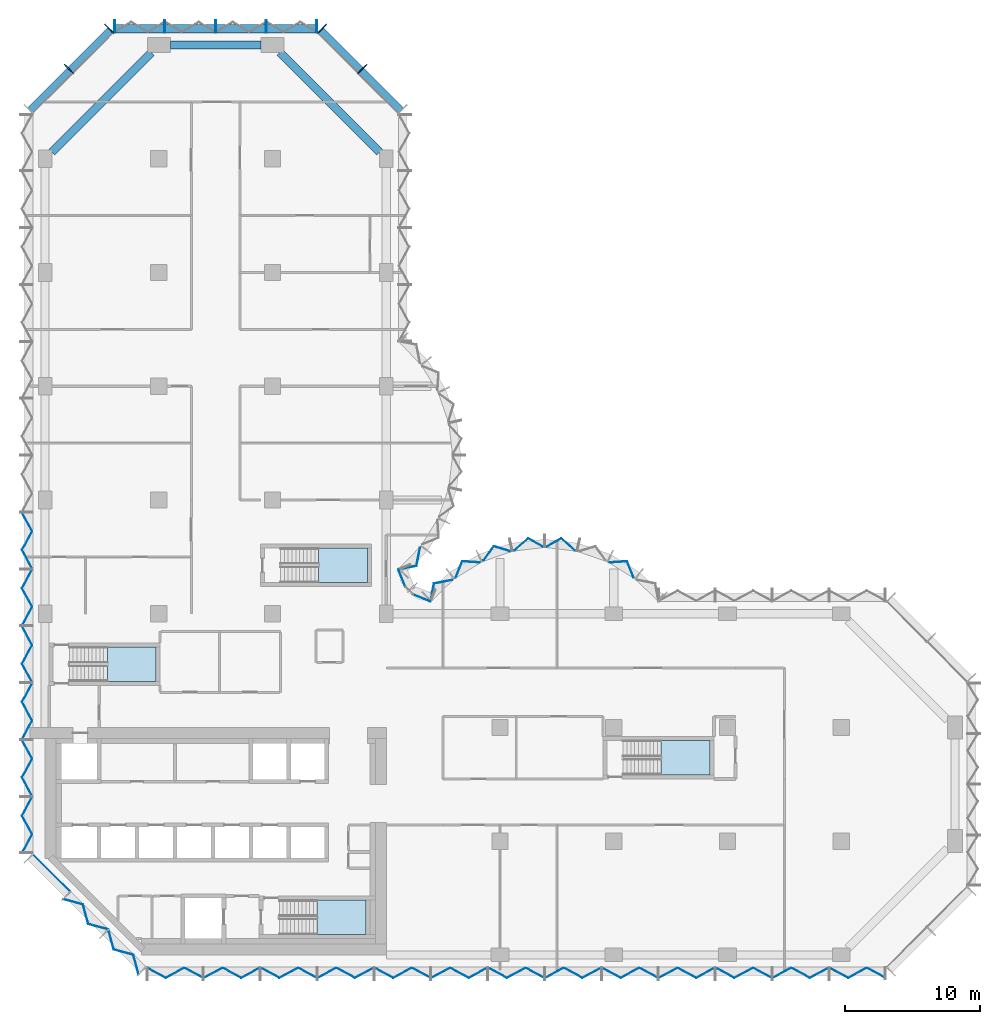
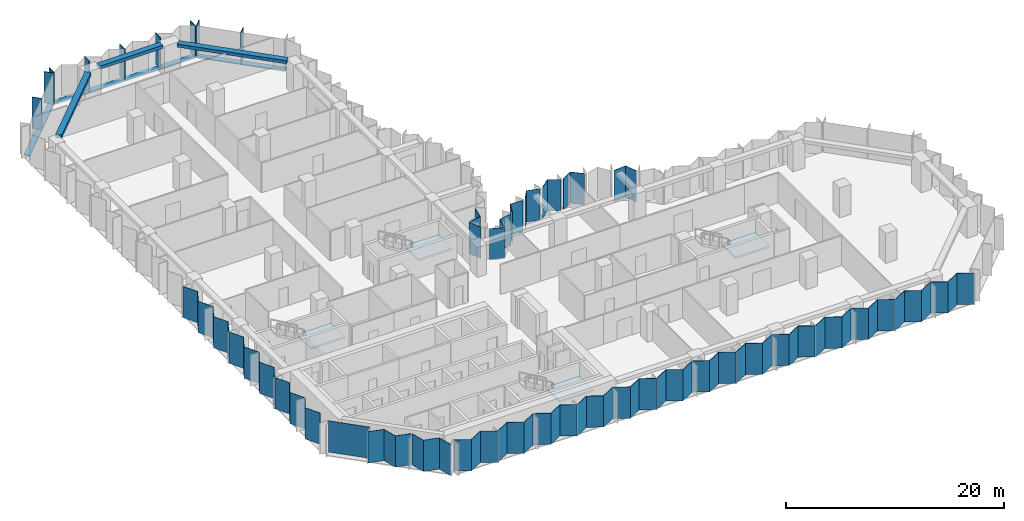
# One storey, part 5 of 13: 31 plates, 12 members, 4 slabs, 3 beams, 13 elements without a shape of their own.
"""IFC4 building model written with IfcOpenShell, lengths in metres."""

from ifc_helpers import new_model, si_unit, direction, frame, origin, origin_2d, place, context, subcontext, project, spatial, polyline, rectangle, outline, extrude, material, layer, layer_set, material_profile, profile_set, type_object, element, aggregate, save


model = new_model("IFC4")

# Units and contexts
model_context = context("Model", 3, precision=1e-05, world=origin(), true_north=direction((0.0, 1.0)))
body_context = subcontext(model_context, "Body", "Model", "MODEL_VIEW")
ifc_project = project(units=[si_unit("LENGTHUNIT", "METRE"), si_unit("AREAUNIT", "SQUARE_METRE"), si_unit("VOLUMEUNIT", "CUBIC_METRE"), si_unit("PLANEANGLEUNIT", "RADIAN"), si_unit("MASSUNIT", "GRAM", prefix="KILO")], contexts=[model_context])

# Site, building, storey
site_placement = place(None, origin())
site = spatial("IfcSite", under=ifc_project, at=site_placement, CompositionType="ELEMENT")
building_placement = place(site_placement, origin())
building = spatial("IfcBuilding", under=site, at=building_placement, Name="Brevane Broadcast Tower", CompositionType="ELEMENT")
storey_placement = place(building_placement, frame((0.0, 0.0, 91.699951171875)))
storey = spatial("IfcBuildingStorey", under=building, at=storey_placement, Name="L21", CompositionType="ELEMENT", Elevation=91.699951171875)

# Curtain wall, members
ifc_material_1 = material(Name="Aluminium 6063-T6 bronze anodised", Category="aluminium")
curtain_wall_type = type_object("IfcCurtainWallType", Name="CW-1 curtain wall", PredefinedType="NOTDEFINED", material=ifc_material_1)
curtain_wall_1_placement = place(storey_placement, origin())
curtain_wall_1 = element("IfcCurtainWall", 1, at=curtain_wall_1_placement, inside=storey, type_object=curtain_wall_type, Name="CW-1 typical tilted unit L21 north arm north-east chamfer", PredefinedType="NOTDEFINED")
ifc_material_profile_1 = material_profile(ifc_material_1, rectangle(XDim=0.949951171875, YDim=0.070068359375, at=origin_2d()), Name="RECT 70x950")
ifc_profile_set_1 = profile_set([ifc_material_profile_1], Name="Aluminium 6063-T6 bronze anodised")
member_type_1 = type_object("IfcMemberType", Name="CW-1 mullion 70x950", PredefinedType="MULLION", material=ifc_profile_set_1)
member_1_placement = place(storey_placement, frame((23.435791015625, 65.435791015625, -0.14990234375), z_axis=(0.0, 0.0, 1.0), x_axis=(-0.707106781187, -0.707106781187, 0.0)))
member_1 = element("IfcMember", 2, at=member_1_placement, type_object=member_type_1, Name="CW-1 mullion", PredefinedType="MULLION", context=body_context, shape_type="SweptSolid", body=[
    extrude(rectangle(XDim=0.949951171875, YDim=0.070068359375, at=origin_2d()), origin(), (0.0, 0.0, 1.0), 3.5),
])
member_2_placement = place(storey_placement, frame((20.460693359375, 68.4111328125, -0.14990234375), z_axis=(0.0, 0.0, 1.0), x_axis=(-0.707106781187, -0.707106781187, 0.0)))
member_2 = element("IfcMember", 3, at=member_2_placement, type_object=member_type_1, Name="CW-1 mullion", PredefinedType="MULLION", context=body_context, shape_type="SweptSolid", body=[
    extrude(rectangle(XDim=0.949951171875, YDim=0.070068359375, at=origin_2d()), origin(), (0.0, 0.0, 1.0), 3.5),
])

curtain_wall_2_placement = place(storey_placement, origin())
curtain_wall_2 = element("IfcCurtainWall", 4, at=curtain_wall_2_placement, inside=storey, type_object=curtain_wall_type, Name="CW-1 typical tilted unit L21 north end", PredefinedType="NOTDEFINED")
member_3_placement = place(storey_placement, frame((20.06494140625, 68.574951171875, -0.14990234375), z_axis=(0.0, 0.0, 1.0), x_axis=(0.0, -1.0, 0.0)))
member_3 = element("IfcMember", 5, at=member_3_placement, type_object=member_type_1, Name="CW-1 mullion", PredefinedType="MULLION", context=body_context, shape_type="SweptSolid", body=[
    extrude(rectangle(XDim=0.949951171875, YDim=0.070068359375, at=origin_2d()), origin(), (0.0, 0.0, 1.0), 3.5),
])
member_4_placement = place(storey_placement, frame((16.35009765625, 68.574951171875, -0.14990234375), z_axis=(0.0, 0.0, 1.0), x_axis=(0.0, -1.0, 0.0)))
member_4 = element("IfcMember", 6, at=member_4_placement, type_object=member_type_1, Name="CW-1 mullion", PredefinedType="MULLION", context=body_context, shape_type="SweptSolid", body=[
    extrude(rectangle(XDim=0.949951171875, YDim=0.070068359375, at=origin_2d()), origin(), (0.0, 0.0, 1.0), 3.5),
])
member_5_placement = place(storey_placement, frame((12.60009765625, 68.574951171875, -0.14990234375), z_axis=(0.0, 0.0, 1.0), x_axis=(0.0, -1.0, 0.0)))
member_5 = element("IfcMember", 7, at=member_5_placement, type_object=member_type_1, Name="CW-1 mullion", PredefinedType="MULLION", context=body_context, shape_type="SweptSolid", body=[
    extrude(rectangle(XDim=0.949951171875, YDim=0.070068359375, at=origin_2d()), origin(), (0.0, 0.0, 1.0), 3.5),
])
member_6_placement = place(storey_placement, frame((8.85009765625, 68.574951171875, -0.14990234375), z_axis=(0.0, 0.0, 1.0), x_axis=(0.0, -1.0, 0.0)))
member_6 = element("IfcMember", 8, at=member_6_placement, type_object=member_type_1, Name="CW-1 mullion", PredefinedType="MULLION", context=body_context, shape_type="SweptSolid", body=[
    extrude(rectangle(XDim=0.949951171875, YDim=0.070068359375, at=origin_2d()), origin(), (0.0, 0.0, 1.0), 3.5),
])
member_7_placement = place(storey_placement, frame((5.135009765625, 68.574951171875, -0.14990234375), z_axis=(0.0, 0.0, 1.0), x_axis=(0.0, -1.0, 0.0)))
member_7 = element("IfcMember", 9, at=member_7_placement, type_object=member_type_1, Name="CW-1 mullion", PredefinedType="MULLION", context=body_context, shape_type="SweptSolid", body=[
    extrude(rectangle(XDim=0.949951171875, YDim=0.070068359375, at=origin_2d()), origin(), (0.0, 0.0, 1.0), 3.5),
])

curtain_wall_3_placement = place(storey_placement, origin())
curtain_wall_3 = element("IfcCurtainWall", 10, at=curtain_wall_3_placement, inside=storey, type_object=curtain_wall_type, Name="CW-1 typical tilted unit L21 north-west chamfer", PredefinedType="NOTDEFINED")
member_8_placement = place(storey_placement, frame((4.7392578125, 68.4111328125, -0.14990234375), z_axis=(0.0, 0.0, 1.0), x_axis=(0.707106781187, -0.707106781187, 0.0)))
member_8 = element("IfcMember", 11, at=member_8_placement, type_object=member_type_1, Name="CW-1 mullion", PredefinedType="MULLION", context=body_context, shape_type="SweptSolid", body=[
    extrude(rectangle(XDim=0.949951171875, YDim=0.070068359375, at=origin_2d()), origin(), (0.0, 0.0, 1.0), 3.5),
])
member_9_placement = place(storey_placement, frame((1.76416015625, 65.435791015625, -0.14990234375), z_axis=(0.0, 0.0, 1.0), x_axis=(0.707106781187, -0.707106781187, 0.0)))
member_9 = element("IfcMember", 12, at=member_9_placement, type_object=member_type_1, Name="CW-1 mullion", PredefinedType="MULLION", context=body_context, shape_type="SweptSolid", body=[
    extrude(rectangle(XDim=0.949951171875, YDim=0.070068359375, at=origin_2d()), origin(), (0.0, 0.0, 1.0), 3.5),
])

# Member
ifc_material_profile_2 = material_profile(ifc_material_1, rectangle(XDim=0.60009765625, YDim=0.10009765625, at=origin_2d()), Name="RECT 100x600")
ifc_profile_set_2 = profile_set([ifc_material_profile_2], Name="Aluminium 6063-T6 bronze anodised")
member_type_2 = type_object("IfcMemberType", Name="CW-1 transom 100x600", PredefinedType="USERDEFINED", material=ifc_profile_set_2)
member_10_placement = place(storey_placement, frame((26.31201171875, 62.31201171875, -0.199951171875), z_axis=(-0.707106781187, 0.707106781187, 0.0), x_axis=(-0.707106781187, -0.707106781187, 0.0)))
member_10 = element("IfcMember", 13, at=member_10_placement, type_object=member_type_2, Name="CW-1 transom", ObjectType="TRANSOM", PredefinedType="USERDEFINED", context=body_context, shape_type="SweptSolid", body=[
    extrude(rectangle(XDim=0.60009765625, YDim=0.10009765625, at=origin_2d()), origin(), (0.0, 0.0, 1.0), 8.4853515625),
])

aggregate(curtain_wall_1, [member_1, member_2, member_10])

member_11_placement = place(storey_placement, frame((20.10009765625, 68.39990234375, -0.199951171875), z_axis=(-1.0, 0.0, 0.0), x_axis=(0.0, -1.0, 0.0)))
member_11 = element("IfcMember", 14, at=member_11_placement, type_object=member_type_2, Name="CW-1 transom", ObjectType="TRANSOM", PredefinedType="USERDEFINED", context=body_context, shape_type="SweptSolid", body=[
    extrude(rectangle(XDim=0.60009765625, YDim=0.10009765625, at=origin_2d()), origin(), (0.0, 0.0, 1.0), 15.0),
])

aggregate(curtain_wall_2, [member_3, member_4, member_5, member_6, member_7, member_11])

member_12_placement = place(storey_placement, frame((4.887939453125, 68.31201171875, -0.199951171875), z_axis=(-0.707106781187, -0.707106781187, 0.0), x_axis=(0.707106781187, -0.707106781187, 0.0)))
member_12 = element("IfcMember", 15, at=member_12_placement, type_object=member_type_2, Name="CW-1 transom", ObjectType="TRANSOM", PredefinedType="USERDEFINED", context=body_context, shape_type="SweptSolid", body=[
    extrude(rectangle(XDim=0.60009765625, YDim=0.10009765625, at=origin_2d()), origin(), (0.0, 0.0, 1.0), 8.4853515625),
])

aggregate(curtain_wall_3, [member_8, member_9, member_12])

# Beams
ifc_material_2 = material(Name="Concrete C40/50", Category="concrete")
ifc_material_profile_3 = material_profile(ifc_material_2, rectangle(XDim=0.60009765625, YDim=0.35009765625, at=origin_2d()), Name="RC 600x350")
ifc_profile_set_3 = profile_set([ifc_material_profile_3], Name="Concrete C40/50")
beam_type = type_object("IfcBeamType", Name="RC SPANDREL BEAM 600x350 C40/50", PredefinedType="SPANDREL", material=ifc_profile_set_3)
beam_1_placement = place(storey_placement, frame((24.699951171875, 59.300048828125, 3.175048828125), z_axis=(-0.707106781187, 0.707106781187, 0.0), x_axis=(-0.707106781187, -0.707106781187, 0.0)))
element("IfcBeam", 16, at=beam_1_placement, inside=storey, type_object=beam_type, Name="EB1 L21-16", PredefinedType="SPANDREL", context=body_context, shape_type="SweptSolid", body=[
    extrude(rectangle(XDim=0.60009765625, YDim=0.35009765625, at=origin_2d()), origin(), (0.0, 0.0, 1.0), 10.394287109375),
])
beam_2_placement = place(storey_placement, frame((15.949951171875, 67.199951171875, 3.175048828125), z_axis=(-1.0, 0.0, 0.0), x_axis=(0.0, -1.0, 0.0)))
element("IfcBeam", 17, at=beam_2_placement, inside=storey, type_object=beam_type, Name="EB1 L21-17", PredefinedType="SPANDREL", context=body_context, shape_type="SweptSolid", body=[
    extrude(rectangle(XDim=0.60009765625, YDim=0.35009765625, at=origin_2d()), origin(), (0.0, 0.0, 1.0), 6.699951171875),
])
beam_3_placement = place(storey_placement, frame((7.85009765625, 66.64990234375, 3.175048828125), z_axis=(-0.707118524903, -0.707095037275, 0.0), x_axis=(0.707095037275, -0.707118524903, 0.0)))
element("IfcBeam", 18, at=beam_3_placement, inside=storey, type_object=beam_type, Name="EB1 L21-18", PredefinedType="SPANDREL", context=body_context, shape_type="SweptSolid", body=[
    extrude(rectangle(XDim=0.60009765625, YDim=0.35009765625, at=origin_2d()), origin(), (0.0, 0.0, 1.0), 10.39453125),
])

# Curtain wall, plates
curtain_wall_4_placement = place(storey_placement, origin())
curtain_wall_4 = element("IfcCurtainWall", 19, at=curtain_wall_4_placement, inside=storey, type_object=curtain_wall_type, Name="CW-1 typical tilted unit L21 south face", PredefinedType="NOTDEFINED")
ifc_material_3 = material(Name="Laminated glass bronze-tinted", Category="glass")
ifc_layer_1 = layer(ifc_material_3, 0.0400390625)
ifc_layer_set_1 = layer_set([ifc_layer_1], Name="CW tall glass panel 40")
plate_type = type_object("IfcPlateType", Name="CW tall glass panel 40", PredefinedType="CURTAIN_PANEL", material=ifc_layer_set_1)
plate_1_placement = place(storey_placement, frame((0.0, 0.0, -0.14990234375)))
plate_1 = element("IfcPlate", 20, at=plate_1_placement, type_object=plate_type, Name="CW-1 glass panel", PredefinedType="CURTAIN_PANEL", context=body_context, shape_type="SweptSolid", body=[
    extrude(outline(polyline([(7.534912109375, -0.92724609375), (7.534912109375, -0.97265625), (8.91162109375, -1.717041015625), (10.288330078125, -0.97265625), (11.6650390625, -1.717041015625), (11.6650390625, -1.671630859375), (10.288330078125, -0.92724609375), (8.91162109375, -1.671630859375), (7.534912109375, -0.92724609375)])), origin(), (0.0, 0.0, 1.0), 3.5),
])
plate_2_placement = place(storey_placement, frame((0.0, 0.0, -0.14990234375)))
plate_2 = element("IfcPlate", 21, at=plate_2_placement, type_object=plate_type, Name="CW-1 glass panel", PredefinedType="CURTAIN_PANEL", context=body_context, shape_type="SweptSolid", body=[
    extrude(outline(polyline([(11.735107421875, -1.671630859375), (11.735107421875, -1.717041015625), (13.11181640625, -0.97265625), (14.48828125, -1.717041015625), (15.864990234375, -0.97265625), (15.864990234375, -0.92724609375), (14.48828125, -1.671630859375), (13.11181640625, -0.92724609375), (11.735107421875, -1.671630859375)])), origin(), (0.0, 0.0, 1.0), 3.5),
])
plate_3_placement = place(storey_placement, frame((0.0, 0.0, -0.14990234375)))
plate_3 = element("IfcPlate", 22, at=plate_3_placement, type_object=plate_type, Name="CW-1 glass panel", PredefinedType="CURTAIN_PANEL", context=body_context, shape_type="SweptSolid", body=[
    extrude(outline(polyline([(15.93505859375, -0.92724609375), (15.93505859375, -0.97265625), (17.311767578125, -1.717041015625), (18.688232421875, -0.97265625), (20.06494140625, -1.717041015625), (20.06494140625, -1.671630859375), (18.688232421875, -0.92724609375), (17.311767578125, -1.671630859375), (15.93505859375, -0.92724609375)])), origin(), (0.0, 0.0, 1.0), 3.5),
])
plate_4_placement = place(storey_placement, frame((0.0, 0.0, -0.14990234375)))
plate_4 = element("IfcPlate", 23, at=plate_4_placement, type_object=plate_type, Name="CW-1 glass panel", PredefinedType="CURTAIN_PANEL", context=body_context, shape_type="SweptSolid", body=[
    extrude(outline(polyline([(20.135009765625, -1.671630859375), (20.135009765625, -1.717041015625), (21.51171875, -0.97265625), (22.88818359375, -1.717041015625), (24.264892578125, -0.97265625), (24.264892578125, -0.92724609375), (22.88818359375, -1.671630859375), (21.51171875, -0.92724609375), (20.135009765625, -1.671630859375)])), origin(), (0.0, 0.0, 1.0), 3.5),
])
plate_5_placement = place(storey_placement, frame((0.0, 0.0, -0.14990234375)))
plate_5 = element("IfcPlate", 24, at=plate_5_placement, type_object=plate_type, Name="CW-1 glass panel", PredefinedType="CURTAIN_PANEL", context=body_context, shape_type="SweptSolid", body=[
    extrude(outline(polyline([(24.3349609375, -0.92724609375), (24.3349609375, -0.97265625), (25.711669921875, -1.717041015625), (27.08837890625, -0.97265625), (28.465087890625, -1.717041015625), (28.465087890625, -1.671630859375), (27.08837890625, -0.92724609375), (25.711669921875, -1.671630859375), (24.3349609375, -0.92724609375)])), origin(), (0.0, 0.0, 1.0), 3.5),
])
plate_6_placement = place(storey_placement, frame((0.0, 0.0, -0.14990234375)))
plate_6 = element("IfcPlate", 25, at=plate_6_placement, type_object=plate_type, Name="CW-1 glass panel", PredefinedType="CURTAIN_PANEL", context=body_context, shape_type="SweptSolid", body=[
    extrude(outline(polyline([(28.534912109375, -1.671630859375), (28.534912109375, -1.717041015625), (29.91162109375, -0.97265625), (31.288330078125, -1.717041015625), (32.6650390625, -0.97265625), (32.6650390625, -0.92724609375), (31.288330078125, -1.671630859375), (29.91162109375, -0.92724609375), (28.534912109375, -1.671630859375)])), origin(), (0.0, 0.0, 1.0), 3.5),
])
plate_7_placement = place(storey_placement, frame((0.0, 0.0, -0.14990234375)))
plate_7 = element("IfcPlate", 26, at=plate_7_placement, type_object=plate_type, Name="CW-1 glass panel", PredefinedType="CURTAIN_PANEL", context=body_context, shape_type="SweptSolid", body=[
    extrude(outline(polyline([(32.735107421875, -0.92724609375), (32.735107421875, -0.97265625), (34.11181640625, -1.717041015625), (35.48828125, -0.97265625), (36.864990234375, -1.717041015625), (36.864990234375, -1.671630859375), (35.48828125, -0.92724609375), (34.11181640625, -1.671630859375), (32.735107421875, -0.92724609375)])), origin(), (0.0, 0.0, 1.0), 3.5),
])
plate_8_placement = place(storey_placement, frame((0.0, 0.0, -0.14990234375)))
plate_8 = element("IfcPlate", 27, at=plate_8_placement, type_object=plate_type, Name="CW-1 glass panel", PredefinedType="CURTAIN_PANEL", context=body_context, shape_type="SweptSolid", body=[
    extrude(outline(polyline([(36.93505859375, -1.671630859375), (36.93505859375, -1.717041015625), (38.311767578125, -0.97265625), (39.688232421875, -1.717041015625), (41.06494140625, -0.97265625), (41.06494140625, -0.92724609375), (39.688232421875, -1.671630859375), (38.311767578125, -0.92724609375), (36.93505859375, -1.671630859375)])), origin(), (0.0, 0.0, 1.0), 3.5),
])
plate_9_placement = place(storey_placement, frame((0.0, 0.0, -0.14990234375)))
plate_9 = element("IfcPlate", 28, at=plate_9_placement, type_object=plate_type, Name="CW-1 glass panel", PredefinedType="CURTAIN_PANEL", context=body_context, shape_type="SweptSolid", body=[
    extrude(outline(polyline([(41.135009765625, -0.92724609375), (41.135009765625, -0.97265625), (42.51171875, -1.717041015625), (43.88818359375, -0.97265625), (45.264892578125, -1.717041015625), (45.264892578125, -1.671630859375), (43.88818359375, -0.92724609375), (42.51171875, -1.671630859375), (41.135009765625, -0.92724609375)])), origin(), (0.0, 0.0, 1.0), 3.5),
])
plate_10_placement = place(storey_placement, frame((0.0, 0.0, -0.14990234375)))
plate_10 = element("IfcPlate", 29, at=plate_10_placement, type_object=plate_type, Name="CW-1 glass panel", PredefinedType="CURTAIN_PANEL", context=body_context, shape_type="SweptSolid", body=[
    extrude(outline(polyline([(45.3349609375, -1.671630859375), (45.3349609375, -1.717041015625), (46.711669921875, -0.97265625), (48.08837890625, -1.717041015625), (49.465087890625, -0.97265625), (49.465087890625, -0.92724609375), (48.08837890625, -1.671630859375), (46.711669921875, -0.92724609375), (45.3349609375, -1.671630859375)])), origin(), (0.0, 0.0, 1.0), 3.5),
])
plate_11_placement = place(storey_placement, frame((0.0, 0.0, -0.14990234375)))
plate_11 = element("IfcPlate", 30, at=plate_11_placement, type_object=plate_type, Name="CW-1 glass panel", PredefinedType="CURTAIN_PANEL", context=body_context, shape_type="SweptSolid", body=[
    extrude(outline(polyline([(49.534912109375, -0.92724609375), (49.534912109375, -0.97265625), (50.91162109375, -1.717041015625), (52.288330078125, -0.97265625), (53.6650390625, -1.717041015625), (53.6650390625, -1.671630859375), (52.288330078125, -0.92724609375), (50.91162109375, -1.671630859375), (49.534912109375, -0.92724609375)])), origin(), (0.0, 0.0, 1.0), 3.5),
])
plate_12_placement = place(storey_placement, frame((0.0, 0.0, -0.14990234375)))
plate_12 = element("IfcPlate", 31, at=plate_12_placement, type_object=plate_type, Name="CW-1 glass panel", PredefinedType="CURTAIN_PANEL", context=body_context, shape_type="SweptSolid", body=[
    extrude(outline(polyline([(53.735107421875, -1.671630859375), (53.735107421875, -1.717041015625), (55.11181640625, -0.97265625), (56.48828125, -1.717041015625), (57.864990234375, -0.97265625), (57.864990234375, -0.92724609375), (56.48828125, -1.671630859375), (55.11181640625, -0.92724609375), (53.735107421875, -1.671630859375)])), origin(), (0.0, 0.0, 1.0), 3.5),
])
plate_13_placement = place(storey_placement, frame((0.0, 0.0, -0.14990234375)))
plate_13 = element("IfcPlate", 32, at=plate_13_placement, type_object=plate_type, Name="CW-1 glass panel", PredefinedType="CURTAIN_PANEL", context=body_context, shape_type="SweptSolid", body=[
    extrude(outline(polyline([(57.93505859375, -0.92724609375), (57.93505859375, -0.97265625), (59.311767578125, -1.717041015625), (60.688232421875, -0.97265625), (62.06494140625, -1.717041015625), (62.06494140625, -1.671630859375), (60.688232421875, -0.92724609375), (59.311767578125, -1.671630859375), (57.93505859375, -0.92724609375)])), origin(), (0.0, 0.0, 1.0), 3.5),
])
aggregate(curtain_wall_4, [plate_1, plate_2, plate_3, plate_4, plate_5, plate_6, plate_7, plate_8, plate_9, plate_10, plate_11, plate_12, plate_13])

curtain_wall_5_placement = place(storey_placement, origin())
curtain_wall_5 = element("IfcCurtainWall", 33, at=curtain_wall_5_placement, inside=storey, type_object=curtain_wall_type, Name="CW-1 typical tilted unit L21 east bow", PredefinedType="NOTDEFINED")
plate_14_placement = place(storey_placement, frame((0.0, 0.0, -0.14990234375)))
plate_14 = element("IfcPlate", 34, at=plate_14_placement, type_object=plate_type, Name="CW-1 glass panel", PredefinedType="CURTAIN_PANEL", context=body_context, shape_type="SweptSolid", body=[
    extrude(outline(polyline([(43.45703125, 27.8759765625), (43.4853515625, 27.912109375), (43.00390625, 29.089111328125), (41.710693359375, 29.006591796875), (41.69091796875, 28.96533203125), (42.977783203125, 29.04736328125), (43.45703125, 27.8759765625)])), origin(), (0.0, 0.0, 1.0), 3.5),
])
plate_15_placement = place(storey_placement, frame((0.0, 0.0, -0.14990234375)))
plate_15 = element("IfcPlate", 35, at=plate_15_placement, type_object=plate_type, Name="CW-1 glass panel", PredefinedType="CURTAIN_PANEL", context=body_context, shape_type="SweptSolid", body=[
    extrude(outline(polyline([(39.125, 29.859619140625), (39.13525390625, 29.903564453125), (38.116943359375, 30.779296875), (37.008056640625, 30.15869140625), (37.008056640625, 30.11279296875), (38.112060546875, 30.730712890625), (39.125, 29.859619140625)])), origin(), (0.0, 0.0, 1.0), 3.5),
])
plate_16_placement = place(storey_placement, frame((0.0, 0.0, -0.14990234375)))
plate_16 = element("IfcPlate", 36, at=plate_16_placement, type_object=plate_type, Name="CW-1 glass panel", PredefinedType="CURTAIN_PANEL", context=body_context, shape_type="SweptSolid", body=[
    extrude(outline(polyline([(36.7919921875, 30.11279296875), (36.7919921875, 30.15869140625), (35.68310546875, 30.779296875), (34.664794921875, 29.903564453125), (34.6748046875, 29.859619140625), (35.68798828125, 30.730712890625), (36.7919921875, 30.11279296875)])), origin(), (0.0, 0.0, 1.0), 3.5),
])
plate_17_placement = place(storey_placement, frame((0.0, 0.0, -0.14990234375)))
plate_17 = element("IfcPlate", 37, at=plate_17_placement, type_object=plate_type, Name="CW-1 glass panel", PredefinedType="CURTAIN_PANEL", context=body_context, shape_type="SweptSolid", body=[
    extrude(outline(polyline([(34.359619140625, 29.78857421875), (34.349365234375, 29.83349609375), (33.132080078125, 30.20166015625), (32.381103515625, 29.1455078125), (32.400634765625, 29.104248046875), (33.148193359375, 30.155029296875), (34.359619140625, 29.78857421875)])), origin(), (0.0, 0.0, 1.0), 3.5),
])
plate_18_placement = place(storey_placement, frame((0.0, 0.0, -0.14990234375)))
plate_18 = element("IfcPlate", 38, at=plate_18_placement, type_object=plate_type, Name="CW-1 glass panel", PredefinedType="CURTAIN_PANEL", context=body_context, shape_type="SweptSolid", body=[
    extrude(outline(polyline([(32.10888671875, 28.96533203125), (32.08935546875, 29.006591796875), (30.7958984375, 29.089111328125), (30.314697265625, 27.912109375), (30.343017578125, 27.8759765625), (30.822265625, 29.04736328125), (32.10888671875, 28.96533203125)])), origin(), (0.0, 0.0, 1.0), 3.5),
])
plate_19_placement = place(storey_placement, frame((0.0, 0.0, -0.14990234375)))
plate_19 = element("IfcPlate", 39, at=plate_19_placement, type_object=plate_type, Name="CW-1 glass panel", PredefinedType="CURTAIN_PANEL", context=body_context, shape_type="SweptSolid", body=[
    extrude(outline(polyline([(30.089111328125, 27.67626953125), (30.0615234375, 27.71142578125), (28.7138671875, 27.447265625), (28.471923828125, 26.17919921875), (28.506103515625, 26.14404296875), (28.748046875, 27.4130859375), (30.089111328125, 27.67626953125)])), origin(), (0.0, 0.0, 1.0), 3.5),
])
aggregate(curtain_wall_5, [plate_14, plate_15, plate_16, plate_17, plate_18, plate_19])

curtain_wall_6_placement = place(storey_placement, origin())
curtain_wall_6 = element("IfcCurtainWall", 40, at=curtain_wall_6_placement, inside=storey, type_object=curtain_wall_type, Name="CW-1 typical tilted unit L21 inner corner", PredefinedType="NOTDEFINED")
plate_20_placement = place(storey_placement, frame((0.0, 0.0, -0.14990234375)))
plate_20 = element("IfcPlate", 41, at=plate_20_placement, type_object=plate_type, Name="CW-1 glass panel", PredefinedType="CURTAIN_PANEL", context=body_context, shape_type="SweptSolid", body=[
    extrude(outline(polyline([(28.45166015625, 26.07470703125), (28.466796875, 26.111572265625), (27.2021484375, 26.635498046875), (27.17138671875, 26.60498046875), (28.45166015625, 26.07470703125)])), origin(), (0.0, 0.0, 1.0), 3.5),
])
plate_21_placement = place(storey_placement, frame((0.0, 0.0, -0.14990234375)))
plate_21 = element("IfcPlate", 42, at=plate_21_placement, type_object=plate_type, Name="CW-1 glass panel", PredefinedType="CURTAIN_PANEL", context=body_context, shape_type="SweptSolid", body=[
    extrude(outline(polyline([(26.60498046875, 27.17138671875), (26.635498046875, 27.2021484375), (26.111572265625, 28.466796875), (26.07470703125, 28.45166015625), (26.60498046875, 27.17138671875)])), origin(), (0.0, 0.0, 1.0), 3.5),
])
aggregate(curtain_wall_6, [plate_20, plate_21])

# Curtain wall, plate
curtain_wall_7_placement = place(storey_placement, origin())
curtain_wall_7 = element("IfcCurtainWall", 43, at=curtain_wall_7_placement, inside=storey, type_object=curtain_wall_type, Name="CW-1 typical tilted unit L21 north bow", PredefinedType="NOTDEFINED")
plate_22_placement = place(storey_placement, frame((0.0, 0.0, -0.14990234375)))
plate_22 = element("IfcPlate", 44, at=plate_22_placement, type_object=plate_type, Name="CW-1 glass panel", PredefinedType="CURTAIN_PANEL", context=body_context, shape_type="SweptSolid", body=[
    extrude(outline(polyline([(26.14404296875, 28.506103515625), (26.17919921875, 28.471923828125), (27.447265625, 28.7138671875), (27.71142578125, 30.0615234375), (27.67626953125, 30.089111328125), (27.4130859375, 28.748046875), (26.14404296875, 28.506103515625)])), origin(), (0.0, 0.0, 1.0), 3.5),
])
aggregate(curtain_wall_7, [plate_22])

# Curtain wall, plates
curtain_wall_8_placement = place(storey_placement, origin())
curtain_wall_8 = element("IfcCurtainWall", 45, at=curtain_wall_8_placement, inside=storey, type_object=curtain_wall_type, Name="CW-1 typical tilted unit L21 west face", PredefinedType="NOTDEFINED")
plate_23_placement = place(storey_placement, frame((0.0, 0.0, -0.14990234375)))
plate_23 = element("IfcPlate", 46, at=plate_23_placement, type_object=plate_type, Name="CW-1 glass panel", PredefinedType="CURTAIN_PANEL", context=body_context, shape_type="SweptSolid", body=[
    extrude(outline(polyline([(-1.671630859375, 32.6650390625), (-1.717041015625, 32.6650390625), (-0.97265625, 31.288330078125), (-1.717041015625, 29.91162109375), (-0.97265625, 28.534912109375), (-0.92724609375, 28.534912109375), (-1.671630859375, 29.91162109375), (-0.92724609375, 31.288330078125), (-1.671630859375, 32.6650390625)])), origin(), (0.0, 0.0, 1.0), 3.5),
])
plate_24_placement = place(storey_placement, frame((0.0, 0.0, -0.14990234375)))
plate_24 = element("IfcPlate", 47, at=plate_24_placement, type_object=plate_type, Name="CW-1 glass panel", PredefinedType="CURTAIN_PANEL", context=body_context, shape_type="SweptSolid", body=[
    extrude(outline(polyline([(-0.92724609375, 28.465087890625), (-0.97265625, 28.465087890625), (-1.717041015625, 27.08837890625), (-0.97265625, 25.711669921875), (-1.717041015625, 24.3349609375), (-1.671630859375, 24.3349609375), (-0.92724609375, 25.711669921875), (-1.671630859375, 27.08837890625), (-0.92724609375, 28.465087890625)])), origin(), (0.0, 0.0, 1.0), 3.5),
])
plate_25_placement = place(storey_placement, frame((0.0, 0.0, -0.14990234375)))
plate_25 = element("IfcPlate", 48, at=plate_25_placement, type_object=plate_type, Name="CW-1 glass panel", PredefinedType="CURTAIN_PANEL", context=body_context, shape_type="SweptSolid", body=[
    extrude(outline(polyline([(-1.671630859375, 24.264892578125), (-1.717041015625, 24.264892578125), (-0.97265625, 22.88818359375), (-1.717041015625, 21.51171875), (-0.97265625, 20.135009765625), (-0.92724609375, 20.135009765625), (-1.671630859375, 21.51171875), (-0.92724609375, 22.88818359375), (-1.671630859375, 24.264892578125)])), origin(), (0.0, 0.0, 1.0), 3.5),
])
plate_26_placement = place(storey_placement, frame((0.0, 0.0, -0.14990234375)))
plate_26 = element("IfcPlate", 49, at=plate_26_placement, type_object=plate_type, Name="CW-1 glass panel", PredefinedType="CURTAIN_PANEL", context=body_context, shape_type="SweptSolid", body=[
    extrude(outline(polyline([(-0.92724609375, 20.06494140625), (-0.97265625, 20.06494140625), (-1.717041015625, 18.688232421875), (-0.97265625, 17.311767578125), (-1.717041015625, 15.93505859375), (-1.671630859375, 15.93505859375), (-0.92724609375, 17.311767578125), (-1.671630859375, 18.688232421875), (-0.92724609375, 20.06494140625)])), origin(), (0.0, 0.0, 1.0), 3.5),
])
plate_27_placement = place(storey_placement, frame((0.0, 0.0, -0.14990234375)))
plate_27 = element("IfcPlate", 50, at=plate_27_placement, type_object=plate_type, Name="CW-1 glass panel", PredefinedType="CURTAIN_PANEL", context=body_context, shape_type="SweptSolid", body=[
    extrude(outline(polyline([(-1.671630859375, 15.864990234375), (-1.717041015625, 15.864990234375), (-0.97265625, 14.48828125), (-1.717041015625, 13.11181640625), (-0.97265625, 11.735107421875), (-0.92724609375, 11.735107421875), (-1.671630859375, 13.11181640625), (-0.92724609375, 14.48828125), (-1.671630859375, 15.864990234375)])), origin(), (0.0, 0.0, 1.0), 3.5),
])
plate_28_placement = place(storey_placement, frame((0.0, 0.0, -0.14990234375)))
plate_28 = element("IfcPlate", 51, at=plate_28_placement, type_object=plate_type, Name="CW-1 glass panel", PredefinedType="CURTAIN_PANEL", context=body_context, shape_type="SweptSolid", body=[
    extrude(outline(polyline([(-0.92724609375, 11.6650390625), (-0.97265625, 11.6650390625), (-1.717041015625, 10.288330078125), (-0.97265625, 8.91162109375), (-1.717041015625, 7.534912109375), (-1.671630859375, 7.534912109375), (-0.92724609375, 8.91162109375), (-1.671630859375, 10.288330078125), (-0.92724609375, 11.6650390625)])), origin(), (0.0, 0.0, 1.0), 3.5),
])
aggregate(curtain_wall_8, [plate_23, plate_24, plate_25, plate_26, plate_27, plate_28])

curtain_wall_9_placement = place(storey_placement, origin())
curtain_wall_9 = element("IfcCurtainWall", 52, at=curtain_wall_9_placement, inside=storey, type_object=curtain_wall_type, Name="CW-1 typical tilted unit L21 south-west chamfer", PredefinedType="NOTDEFINED")
plate_29_placement = place(storey_placement, frame((0.0, 0.0, -0.14990234375)))
plate_29 = element("IfcPlate", 53, at=plate_29_placement, type_object=plate_type, Name="CW-1 glass panel", PredefinedType="CURTAIN_PANEL", context=body_context, shape_type="SweptSolid", body=[
    extrude(outline(polyline([(-0.896484375, 7.4541015625), (1.85400390625, 4.70361328125), (1.82568359375, 4.67529296875), (-0.9248046875, 7.42578125), (-0.896484375, 7.4541015625)])), origin(), (0.0, 0.0, 1.0), 3.5),
])
plate_30_placement = place(storey_placement, frame((0.0, 0.0, -0.14990234375)))
plate_30 = element("IfcPlate", 54, at=plate_30_placement, type_object=plate_type, Name="CW-1 glass panel", PredefinedType="CURTAIN_PANEL", context=body_context, shape_type="SweptSolid", body=[
    extrude(outline(polyline([(1.37939453125, 4.1298828125), (1.3466796875, 4.09716796875), (2.789794921875, 3.706787109375), (3.180419921875, 2.263671875), (4.62353515625, 1.873046875), (4.65625, 1.90576171875), (3.212890625, 2.296142578125), (2.822509765625, 3.739501953125), (1.37939453125, 4.1298828125)])), origin(), (0.0, 0.0, 1.0), 3.5),
])
plate_31_placement = place(storey_placement, frame((0.0, 0.0, -0.14990234375)))
plate_31 = element("IfcPlate", 55, at=plate_31_placement, type_object=plate_type, Name="CW-1 glass panel", PredefinedType="CURTAIN_PANEL", context=body_context, shape_type="SweptSolid", body=[
    extrude(outline(polyline([(4.705810546875, 1.856201171875), (4.673095703125, 1.823486328125), (5.063720703125, 0.38037109375), (6.5068359375, -0.010009765625), (6.897216796875, -1.453369140625), (6.9296875, -1.420654296875), (6.539306640625, 0.0224609375), (5.09619140625, 0.4130859375), (4.705810546875, 1.856201171875)])), origin(), (0.0, 0.0, 1.0), 3.5),
])
aggregate(curtain_wall_9, [plate_29, plate_30, plate_31])

# Stair, slab
ifc_material_4 = material(Name="Concrete C50/60", Category="concrete")
stair_type = type_object("IfcStairType", Name="Exit stair 22 risers", PredefinedType="HALF_TURN_STAIR", material=ifc_material_4)
stair_1_placement = place(storey_placement, origin())
stair_1 = element("IfcStair", 56, at=stair_1_placement, inside=storey, type_object=stair_type, Name="L21 Exit stair ST-1", PredefinedType="HALF_TURN_STAIR")
ifc_layer_2 = layer(ifc_material_4, 0.199951171875)
ifc_layer_set_2 = layer_set([ifc_layer_2], Name="Exit stair landing")
slab_type = type_object("IfcSlabType", Name="Exit stair landing", PredefinedType="LANDING", material=ifc_layer_set_2)
slab_1_placement = place(storey_placement, frame((0.0, 0.0, 1.60009765625)))
slab_1 = element("IfcSlab", 57, at=slab_1_placement, type_object=slab_type, Name="ST-1 landing 1", PredefinedType="LANDING", context=body_context, shape_type="SweptSolid", body=[
    extrude(outline(polyline([(4.60009765625, 20.199951171875), (8.199951171875, 20.199951171875), (8.199951171875, 22.75), (4.60009765625, 22.75), (4.60009765625, 20.199951171875)])), origin(), (0.0, 0.0, 1.0), 0.199951171875),
])
aggregate(stair_1, [slab_1])

stair_2_placement = place(storey_placement, origin())
stair_2 = element("IfcStair", 58, at=stair_2_placement, inside=storey, type_object=stair_type, Name="L21 Exit stair ST-2", PredefinedType="HALF_TURN_STAIR")
slab_2_placement = place(storey_placement, frame((0.0, 0.0, 1.60009765625)))
slab_2 = element("IfcSlab", 59, at=slab_2_placement, type_object=slab_type, Name="ST-2 landing 1", PredefinedType="LANDING", context=body_context, shape_type="SweptSolid", body=[
    extrude(outline(polyline([(20.10009765625, 1.5), (23.699951171875, 1.5), (23.699951171875, 4.050048828125), (20.10009765625, 4.050048828125), (20.10009765625, 1.5)])), origin(), (0.0, 0.0, 1.0), 0.199951171875),
])
aggregate(stair_2, [slab_2])

stair_3_placement = place(storey_placement, origin())
stair_3 = element("IfcStair", 60, at=stair_3_placement, inside=storey, type_object=stair_type, Name="L21 Exit stair ST-3", PredefinedType="HALF_TURN_STAIR")
slab_3_placement = place(storey_placement, frame((0.0, 0.0, 1.60009765625)))
slab_3 = element("IfcSlab", 61, at=slab_3_placement, type_object=slab_type, Name="ST-3 landing 1", PredefinedType="LANDING", context=body_context, shape_type="SweptSolid", body=[
    extrude(outline(polyline([(20.199951171875, 27.5), (23.800048828125, 27.5), (23.800048828125, 30.050048828125), (20.199951171875, 30.050048828125), (20.199951171875, 27.5)])), origin(), (0.0, 0.0, 1.0), 0.199951171875),
])
aggregate(stair_3, [slab_3])

stair_4_placement = place(storey_placement, origin())
stair_4 = element("IfcStair", 62, at=stair_4_placement, inside=storey, type_object=stair_type, Name="L21 Exit stair ST-4", PredefinedType="HALF_TURN_STAIR")
slab_4_placement = place(storey_placement, frame((0.0, 0.0, 1.60009765625)))
slab_4 = element("IfcSlab", 63, at=slab_4_placement, type_object=slab_type, Name="ST-4 landing 1", PredefinedType="LANDING", context=body_context, shape_type="SweptSolid", body=[
    extrude(outline(polyline([(45.5, 13.300048828125), (49.10009765625, 13.300048828125), (49.10009765625, 15.85009765625), (45.5, 15.85009765625), (45.5, 13.300048828125)])), origin(), (0.0, 0.0, 1.0), 0.199951171875),
])
aggregate(stair_4, [slab_4])

save(model, "model.ifc")
